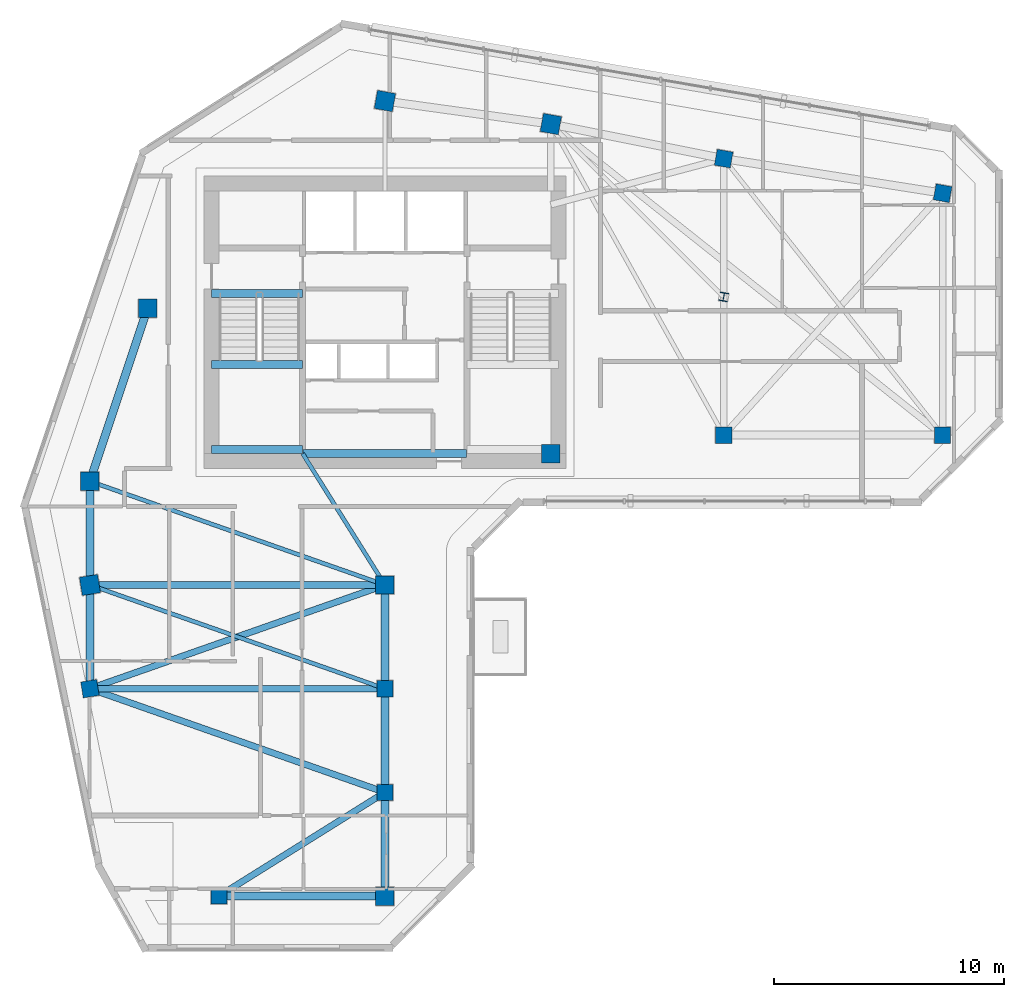
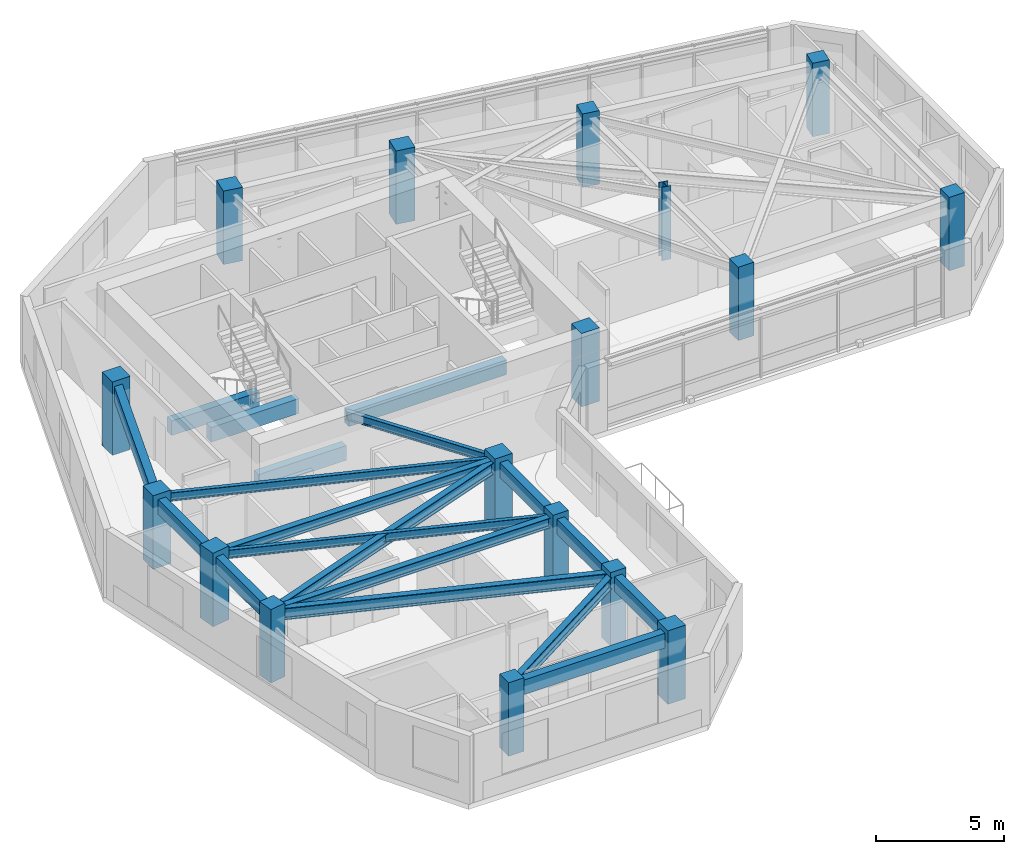
# One storey, part 1 of 10: 19 beams, 17 columns.
"""IFC4 building model written with IfcOpenShell, lengths in metres."""

from ifc_helpers import new_model, si_unit, direction, frame, origin, origin_2d, place, context, subcontext, project, spatial, rectangle, i_section, extrude, source, transform, mapped, material, material_profile, profile_set, type_object, element, save


model = new_model("IFC4")

# Units and contexts
model_context = context("Model", 3, precision=1e-05, world=origin(), true_north=direction((0.0, 1.0)))
body_context = subcontext(model_context, "Body", "Model", "MODEL_VIEW")
ifc_project = project(units=[si_unit("LENGTHUNIT", "METRE"), si_unit("AREAUNIT", "SQUARE_METRE"), si_unit("VOLUMEUNIT", "CUBIC_METRE"), si_unit("PLANEANGLEUNIT", "RADIAN"), si_unit("MASSUNIT", "GRAM", prefix="KILO")], contexts=[model_context])

# Site, building, storey
site_placement = place(None, origin())
site = spatial("IfcSite", under=ifc_project, at=site_placement, CompositionType="ELEMENT")
building_placement = place(site_placement, origin())
building = spatial("IfcBuilding", under=site, at=building_placement, Name="Calvemar Wedge Station Tower", CompositionType="ELEMENT")
storey_placement = place(building_placement, frame((0.0, 0.0, 193.89990234375)))
storey = spatial("IfcBuildingStorey", under=building, at=storey_placement, Name="L48", CompositionType="ELEMENT", Elevation=193.89990234375)

# Columns
ifc_material_1 = material(Name="Concrete C50", Category="concrete")
ifc_material_profile_1 = material_profile(ifc_material_1, rectangle(XDim=0.800048828125, YDim=0.800048828125, at=origin_2d()), Name="RC800x800")
ifc_profile_set_1 = profile_set([ifc_material_profile_1], Name="Concrete C50")
column_type_1 = type_object("IfcColumnType", Name="COL-C6-800", PredefinedType="COLUMN", material=ifc_profile_set_1)
shared_shape_1 = source(origin(), body_context, "Body", "SweptSolid", [
    extrude(rectangle(XDim=0.800048828125, YDim=0.800048828125, at=origin_2d()), origin(), (0.0, 0.0, 1.0), 3.5),
])
for number, where, z_axis, x_axis, name in (
    (1, (11.0, 33.0, 0.0), (0.0, 0.0, 1.0), (1.0, 0.0, 0.0), "Storey L48 Column T-NW1"),
    (2, (13.5, 40.5, 0.0), (0.0, 0.0, 1.0), (1.0, 0.0, 0.0), "Storey L48 Column T-NW2"),
    (3, (23.800048828125, 49.5, 0.0), (0.0, 0.0, 1.0), (0.984195607969, -0.17708474032, 0.0), "Storey L48 Column T-N1"),
    (4, (31.0, 48.5, 0.0), (0.0, 0.0, 1.0), (0.984195607969, -0.17708474032, 0.0), "Storey L48 Column T-N2"),
    (5, (31.0, 34.199951171875, 0.0), (0.0, 0.0, 1.0), (1.0, 0.0, 0.0), "Storey L48 Column T-NL1"),
    (6, (11.0, 28.5, 0.0), (0.0, 0.0, 1.0), (0.158158067254, -0.987413806751, 0.0), "Storey L48 Column T-SW1"),
    (7, (23.800048828125, 28.5, 0.0), (0.0, 0.0, 1.0), (1.0, 0.0, 0.0), "Storey L48 Column T-SE1"),
    (8, (23.800048828125, 15.0, 0.0), (0.0, 0.0, 1.0), (1.0, 0.0, 0.0), "Storey L48 Column T-SE4"),
):
    element("IfcColumn", number, at=place(storey_placement, frame(where, z_axis=z_axis, x_axis=x_axis)), inside=storey, type_object=column_type_1, Name=name, PredefinedType="COLUMN", context=body_context, shape_type="MappedRepresentation", body=[
        mapped(shared_shape_1, transform((0.0, 0.0, 0.0), scale=1.0)),
    ])
ifc_material_profile_2 = material_profile(ifc_material_1, rectangle(XDim=0.699951171875, YDim=0.699951171875, at=origin_2d()), Name="RC700x700")
ifc_profile_set_2 = profile_set([ifc_material_profile_2], Name="Concrete C50")
column_type_2 = type_object("IfcColumnType", Name="COL-C7-700", PredefinedType="COLUMN", material=ifc_profile_set_2)
shared_shape_2 = source(origin(), body_context, "Body", "SweptSolid", [
    extrude(rectangle(XDim=0.699951171875, YDim=0.699951171875, at=origin_2d()), origin(), (0.0, 0.0, 1.0), 3.5),
])
for number, where, z_axis, x_axis, name in (
    (9, (38.5, 47.0, 0.0), (0.0, 0.0, 1.0), (0.984195607969, -0.17708474032, 0.0), "Storey L48 Column T-NU3"),
    (10, (48.0, 45.5, 0.0), (0.0, 0.0, 1.0), (0.984195607969, -0.17708474032, 0.0), "Storey L48 Column T-NU4"),
    (11, (38.5, 35.0, 0.0), (0.0, 0.0, 1.0), (1.0, 0.0, 0.0), "Storey L48 Column T-NL2"),
    (12, (48.0, 35.0, 0.0), (0.0, 0.0, 1.0), (1.0, 0.0, 0.0), "Storey L48 Column T-NL3"),
    (13, (11.0, 24.0, 0.0), (0.0, 0.0, 1.0), (0.158158067254, -0.987413806751, 0.0), "Storey L48 Column T-SW2"),
    (14, (23.800048828125, 24.0, 0.0), (0.0, 0.0, 1.0), (1.0, 0.0, 0.0), "Storey L48 Column T-SE2"),
    (15, (23.800048828125, 19.5, 0.0), (0.0, 0.0, 1.0), (1.0, 0.0, 0.0), "Storey L48 Column T-SE3"),
    (16, (16.60009765625, 15.0, 0.0), (0.0, 0.0, 1.0), (1.0, 0.0, 0.0), "Storey L48 Column T-SM1"),
):
    element("IfcColumn", number, at=place(storey_placement, frame(where, z_axis=z_axis, x_axis=x_axis)), inside=storey, type_object=column_type_2, Name=name, PredefinedType="COLUMN", context=body_context, shape_type="MappedRepresentation", body=[
        mapped(shared_shape_2, transform((0.0, 0.0, 0.0), scale=1.0)),
    ])
ifc_material_2 = material(Name="Structural steel ASTM A572 Grade 50", Category="steel")
ifc_material_profile_3 = material_profile(ifc_material_2, i_section(OverallWidth=0.3740234375, OverallDepth=0.3720703125, WebThickness=0.016357421875, FlangeThickness=0.026123046875, FilletRadius=0.014892578125, at=origin_2d()), Name="W360x196")
ifc_profile_set_3 = profile_set([ifc_material_profile_3], Name="Structural steel ASTM A572 Grade 50")
column_type_3 = type_object("IfcColumnType", Name="COL-STL-W360", PredefinedType="COLUMN", material=ifc_profile_set_3)
shared_shape_3 = source(origin(), body_context, "Body", "SweptSolid", [
    extrude(i_section(OverallWidth=0.3740234375, OverallDepth=0.3720703125, WebThickness=0.016357421875, FlangeThickness=0.026123046875, FilletRadius=0.014892578125, at=origin_2d()), origin(), (0.0, 0.0, 1.0), 3.5),
])
column_placement = place(storey_placement, frame((38.5, 41.0, 0.0), z_axis=(0.0, 0.0, 1.0), x_axis=(0.984195607969, -0.17708474032, 0.0)))
element("IfcColumn", 17, at=column_placement, inside=storey, type_object=column_type_3, Name="Storey L48 Column T-NTIP-B", PredefinedType="COLUMN", context=body_context, shape_type="MappedRepresentation", body=[
    mapped(shared_shape_3, transform((0.0, 0.0, 0.0), scale=1.0)),
])

# Beams
ifc_material_profile_4 = material_profile(ifc_material_2, i_section(OverallWidth=0.177978515625, OverallDepth=0.406982421875, WebThickness=0.0078125, FlangeThickness=0.0126953125, FilletRadius=0.010009765625, at=origin_2d()), Name="W410x60")
ifc_profile_set_4 = profile_set([ifc_material_profile_4], Name="Structural steel ASTM A572 Grade 50")
beam_type_1 = type_object("IfcBeamType", Name="BM-J3-W410", PredefinedType="JOIST", material=ifc_profile_set_4)
shared_shape_4 = source(origin(), body_context, "Body", "SweptSolid", [
    extrude(i_section(OverallWidth=0.177978515625, OverallDepth=0.406982421875, WebThickness=0.0078125, FlangeThickness=0.0126953125, FilletRadius=0.010009765625, at=origin_2d()), origin(), (0.0, 0.0, 1.0), 13.568115234375),
])
for number, where, z_axis, x_axis, name in (
    (18, (11.0, 33.0, 3.046630859375), (0.943398221169, -0.331662171939, 0.0), (0.331662171939, 0.943398221169, 0.0), "Storey L48 Floor Beam T-NW1-T-SE1"),
    (19, (11.0, 28.5, 3.046630859375), (0.943398221169, -0.331662171939, 0.0), (0.331662171939, 0.943398221169, 0.0), "Storey L48 Floor Beam T-SW1-T-SE2"),
):
    element("IfcBeam", number, at=place(storey_placement, frame(where, z_axis=z_axis, x_axis=x_axis)), inside=storey, type_object=beam_type_1, Name=name, PredefinedType="JOIST", context=body_context, shape_type="MappedRepresentation", body=[
        mapped(shared_shape_4, transform((0.0, 0.0, 0.0), scale=1.0)),
    ])
ifc_material_profile_5 = material_profile(ifc_material_2, i_section(OverallWidth=0.279052734375, OverallDepth=0.553955078125, WebThickness=0.017578125, FlangeThickness=0.029541015625, FilletRadius=0.014892578125, at=origin_2d()), Name="W530x196")
ifc_profile_set_5 = profile_set([ifc_material_profile_5], Name="Structural steel ASTM A572 Grade 50")
beam_type_2 = type_object("IfcBeamType", Name="BM-SB3-W530H", PredefinedType="BEAM", material=ifc_profile_set_5)
shared_shape_5 = source(origin(), body_context, "Body", "SweptSolid", [
    extrude(i_section(OverallWidth=0.279052734375, OverallDepth=0.553955078125, WebThickness=0.017578125, FlangeThickness=0.029541015625, FilletRadius=0.014892578125, at=origin_2d()), origin(), (0.0, 0.0, 1.0), 13.568115234375),
])
for number, where, z_axis, x_axis, name in (
    (20, (23.800048828125, 28.5, 2.97314453125), (-0.943398221169, -0.331662171939, 0.0), (0.331662171939, -0.943398221169, 0.0), "Storey L48 Floor Beam T-SE1-T-SW2"),
    (21, (11.0, 24.0, 2.97314453125), (0.943398221169, -0.331662171939, 0.0), (0.331662171939, 0.943398221169, 0.0), "Storey L48 Floor Beam T-SW2-T-SE3"),
):
    element("IfcBeam", number, at=place(storey_placement, frame(where, z_axis=z_axis, x_axis=x_axis)), inside=storey, type_object=beam_type_2, Name=name, PredefinedType="BEAM", context=body_context, shape_type="MappedRepresentation", body=[
        mapped(shared_shape_5, transform((0.0, 0.0, 0.0), scale=1.0)),
    ])
shared_shape_6 = source(origin(), body_context, "Body", "SweptSolid", [
    extrude(i_section(OverallWidth=0.279052734375, OverallDepth=0.553955078125, WebThickness=0.017578125, FlangeThickness=0.029541015625, FilletRadius=0.014892578125, at=origin_2d()), origin(), (0.0, 0.0, 1.0), 8.490478515625),
])
beam_1_placement = place(storey_placement, frame((23.800048828125, 19.5, 2.97314453125), z_axis=(-0.847996688584, -0.530001524668, 0.0), x_axis=(0.530001524668, -0.847996688584, 0.0)))
element("IfcBeam", 22, at=beam_1_placement, inside=storey, type_object=beam_type_2, Name="Storey L48 Floor Beam T-SE3-T-SM1", PredefinedType="BEAM", context=body_context, shape_type="MappedRepresentation", body=[
    mapped(shared_shape_6, transform((0.0, 0.0, 0.0), scale=1.0)),
])
shared_shape_7 = source(origin(), body_context, "Body", "SweptSolid", [
    extrude(i_section(OverallWidth=0.177978515625, OverallDepth=0.406982421875, WebThickness=0.0078125, FlangeThickness=0.0126953125, FilletRadius=0.010009765625, at=origin_2d()), origin(), (0.0, 0.0, 1.0), 6.7255859375),
])
beam_2_placement = place(storey_placement, frame((20.22998046875, 34.199951171875, 3.046630859375), z_axis=(0.530811158438, -0.847490126242, 0.0), x_axis=(0.847490126242, 0.530811158438, 0.0)))
element("IfcBeam", 23, at=beam_2_placement, inside=storey, type_object=beam_type_1, Name="Storey L48 Core-to-Column Joist CJ-S2", PredefinedType="JOIST", context=body_context, shape_type="MappedRepresentation", body=[
    mapped(shared_shape_7, transform((0.0, 0.0, 0.0), scale=1.0)),
])
ifc_material_3 = material(Name="Concrete C70", Category="concrete")
ifc_material_profile_6 = material_profile(ifc_material_3, rectangle(XDim=0.35009765625, YDim=0.699951171875, at=origin_2d()), Name="RC350x700")
ifc_profile_set_6 = profile_set([ifc_material_profile_6], Name="Concrete C70")
beam_type_3 = type_object("IfcBeamType", Name="BM-LN1-700", PredefinedType="LINTEL", material=ifc_profile_set_6)
shared_shape_8 = source(origin(), body_context, "Body", "SweptSolid", [
    extrude(rectangle(XDim=0.35009765625, YDim=0.699951171875, at=origin_2d()), origin(), (0.0, 0.0, 1.0), 7.10009765625),
])
beam_3_placement = place(storey_placement, frame((20.25, 34.199951171875, 2.900146484375), z_axis=(1.0, 0.0, 0.0), x_axis=(0.0, 1.0, 0.0)))
element("IfcBeam", 24, at=beam_3_placement, inside=storey, type_object=beam_type_3, Name="Storey L48 Core Coupling Lintel South", PredefinedType="LINTEL", context=body_context, shape_type="MappedRepresentation", body=[
    mapped(shared_shape_8, transform((0.0, 0.0, 0.0), scale=1.0)),
])
shared_shape_9 = source(origin(), body_context, "Body", "SweptSolid", [
    extrude(rectangle(XDim=0.35009765625, YDim=0.699951171875, at=origin_2d()), origin(), (0.0, 0.0, 1.0), 3.955078125),
])
for number, where, z_axis, x_axis, name in (
    (25, (16.27490234375, 41.14990234375, -0.349853515625), (1.0, 0.0, 0.0), (0.0, 1.0, 0.0), "Storey L48 Stair ST-C1 Landing Trimmer Beam"),
    (26, (16.27490234375, 34.3798828125, 1.2001953125), (1.0, 0.0, 0.0), (0.0, 1.0, 0.0), "Storey L48 Stair ST-C1 Half-Landing Beam 1A"),
    (27, (16.27490234375, 38.070068359375, 1.2001953125), (1.0, 0.0, 0.0), (0.0, 1.0, 0.0), "Storey L48 Stair ST-C1 Half-Landing Beam 1B"),
):
    element("IfcBeam", number, at=place(storey_placement, frame(where, z_axis=z_axis, x_axis=x_axis)), inside=storey, type_object=beam_type_3, Name=name, PredefinedType="LINTEL", context=body_context, shape_type="MappedRepresentation", body=[
        mapped(shared_shape_9, transform((0.0, 0.0, 0.0), scale=1.0)),
    ])
ifc_material_profile_7 = material_profile(ifc_material_1, rectangle(XDim=0.35009765625, YDim=0.699951171875, at=origin_2d()), Name="RC350x700")
ifc_profile_set_7 = profile_set([ifc_material_profile_7], Name="Concrete C50")
beam_type_4 = type_object("IfcBeamType", Name="BM-SP2-700", PredefinedType="SPANDREL", material=ifc_profile_set_7)
shared_shape_10 = source(origin(), body_context, "Body", "SweptSolid", [
    extrude(rectangle(XDim=0.35009765625, YDim=0.699951171875, at=origin_2d()), origin(), (0.0, 0.0, 1.0), 7.90576171875),
])
beam_4_placement = place(storey_placement, frame((11.0, 33.0, 2.900146484375), z_axis=(0.316227766017, 0.948683298051, 0.0), x_axis=(-0.948683298051, 0.316227766017, 0.0)))
element("IfcBeam", 28, at=beam_4_placement, inside=storey, type_object=beam_type_4, Name="Storey L48 Spandrel T-NW1-T-NW2", PredefinedType="SPANDREL", context=body_context, shape_type="MappedRepresentation", body=[
    mapped(shared_shape_10, transform((0.0, 0.0, 0.0), scale=1.0)),
])
shared_shape_11 = source(origin(), body_context, "Body", "SweptSolid", [
    extrude(rectangle(XDim=0.35009765625, YDim=0.699951171875, at=origin_2d()), origin(), (0.0, 0.0, 1.0), 4.5),
])
for number, where, z_axis, x_axis, name in (
    (29, (11.0, 33.0, 2.900146484375), (0.0, -1.0, 0.0), (1.0, 0.0, 0.0), "Storey L48 Spandrel T-NW1-T-SW1"),
    (30, (11.0, 28.5, 2.900146484375), (0.0, -1.0, 0.0), (1.0, 0.0, 0.0), "Storey L48 Spandrel T-SW1-T-SW2"),
    (31, (23.800048828125, 28.5, 2.900146484375), (0.0, -1.0, 0.0), (1.0, 0.0, 0.0), "Storey L48 Spandrel T-SE1-T-SE2"),
    (32, (23.800048828125, 24.0, 2.900146484375), (0.0, -1.0, 0.0), (1.0, 0.0, 0.0), "Storey L48 Spandrel T-SE2-T-SE3"),
    (33, (23.800048828125, 19.5, 2.900146484375), (0.0, -1.0, 0.0), (1.0, 0.0, 0.0), "Storey L48 Spandrel T-SE3-T-SE4"),
):
    element("IfcBeam", number, at=place(storey_placement, frame(where, z_axis=z_axis, x_axis=x_axis)), inside=storey, type_object=beam_type_4, Name=name, PredefinedType="SPANDREL", context=body_context, shape_type="MappedRepresentation", body=[
        mapped(shared_shape_11, transform((0.0, 0.0, 0.0), scale=1.0)),
    ])
shared_shape_12 = source(origin(), body_context, "Body", "SweptSolid", [
    extrude(rectangle(XDim=0.35009765625, YDim=0.699951171875, at=origin_2d()), origin(), (0.0, 0.0, 1.0), 7.199951171875),
])
beam_5_placement = place(storey_placement, frame((16.60009765625, 15.0, 2.900146484375), z_axis=(1.0, 0.0, 0.0), x_axis=(0.0, 1.0, 0.0)))
element("IfcBeam", 34, at=beam_5_placement, inside=storey, type_object=beam_type_4, Name="Storey L48 Spandrel T-SM1-T-SE4", PredefinedType="SPANDREL", context=body_context, shape_type="MappedRepresentation", body=[
    mapped(shared_shape_12, transform((0.0, 0.0, 0.0), scale=1.0)),
])
ifc_material_profile_8 = material_profile(ifc_material_2, i_section(OverallWidth=0.283935546875, OverallDepth=0.47607421875, WebThickness=0.014892578125, FlangeThickness=0.02392578125, FilletRadius=0.014892578125, at=origin_2d()), Name="W460x158")
ifc_profile_set_8 = profile_set([ifc_material_profile_8], Name="Structural steel ASTM A572 Grade 50")
beam_type_5 = type_object("IfcBeamType", Name="BM-SB5-W460H", PredefinedType="BEAM", material=ifc_profile_set_8)
shared_shape_13 = source(origin(), body_context, "Body", "SweptSolid", [
    extrude(i_section(OverallWidth=0.283935546875, OverallDepth=0.47607421875, WebThickness=0.014892578125, FlangeThickness=0.02392578125, FilletRadius=0.014892578125, at=origin_2d()), origin(), (0.0, 0.0, 1.0), 12.800048828125),
])
for number, where, z_axis, x_axis, name in (
    (35, (11.0, 28.5, 3.01220703125), (1.0, 0.0, 0.0), (0.0, 1.0, 0.0), "Storey L48 Floor Beam T-SW1-T-SE1"),
    (36, (11.0, 24.0, 3.01220703125), (1.0, 0.0, 0.0), (0.0, 1.0, 0.0), "Storey L48 Floor Beam T-SW2-T-SE2"),
):
    element("IfcBeam", number, at=place(storey_placement, frame(where, z_axis=z_axis, x_axis=x_axis)), inside=storey, type_object=beam_type_5, Name=name, PredefinedType="BEAM", context=body_context, shape_type="MappedRepresentation", body=[
        mapped(shared_shape_13, transform((0.0, 0.0, 0.0), scale=1.0)),
    ])

save(model, "model.ifc")
